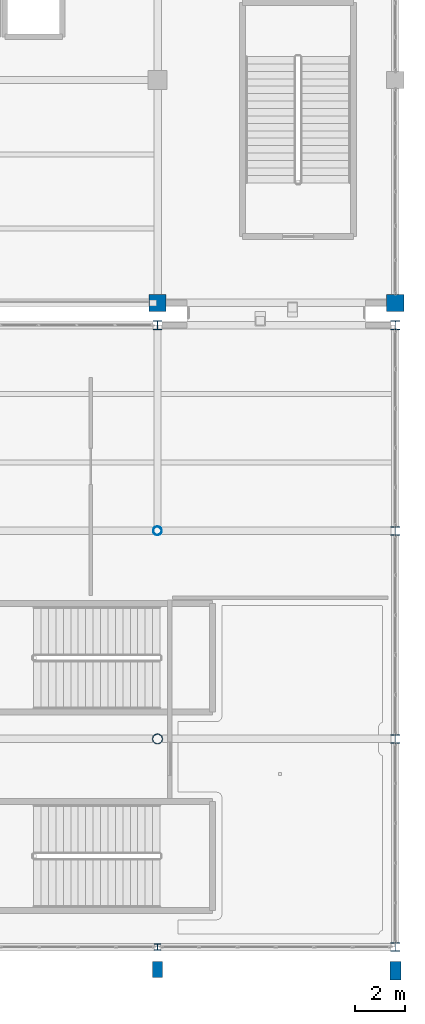
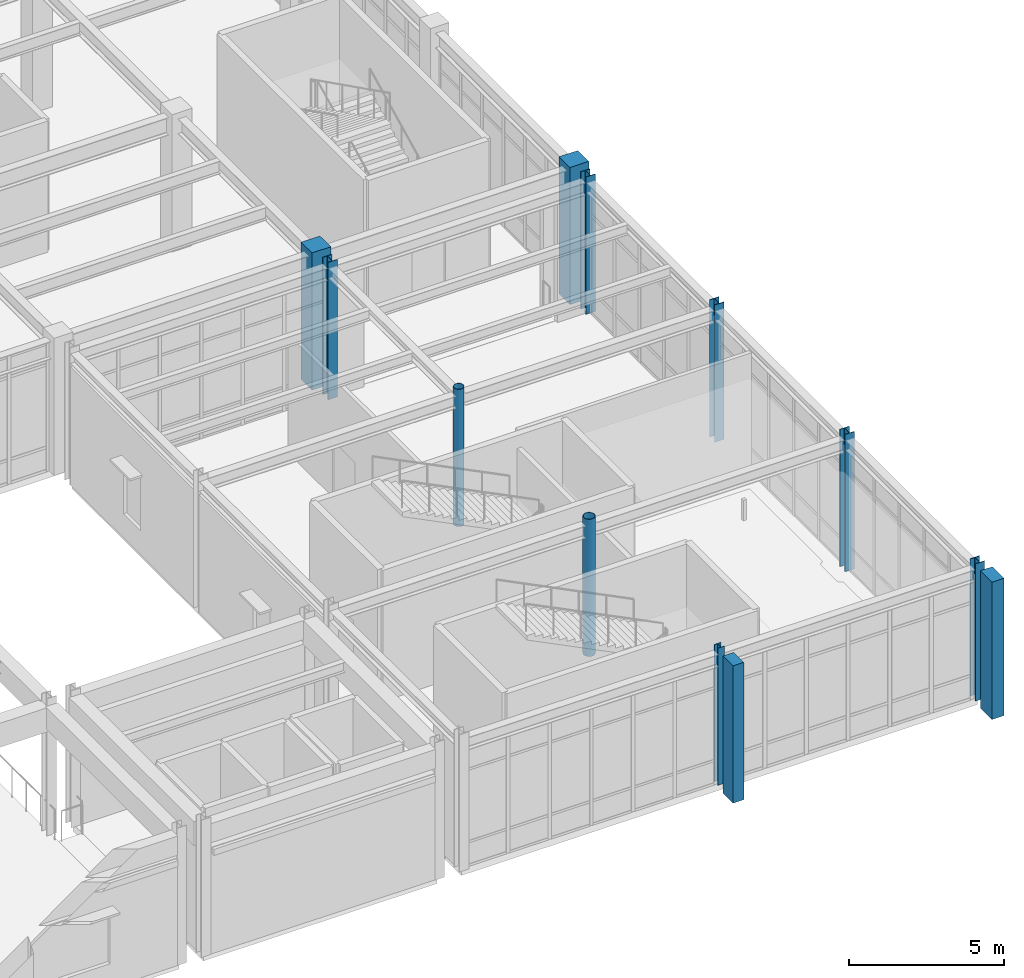
# One storey, part 3 of 80: 12 columns.
"""IFC4 building model written with IfcOpenShell, lengths in metres."""

from ifc_helpers import new_model, si_unit, direction, frame, origin, origin_2d, place, context, subcontext, project, spatial, rectangle, hollow_circle, i_section, extrude, material, material_profile, profile_set, type_object, element, save


model = new_model("IFC4")

# Units and contexts
model_context = context("Model", 3, precision=1e-05, world=origin(), true_north=direction((0.0, 1.0)))
body_context = subcontext(model_context, "Body", "Model", "MODEL_VIEW")
ifc_project = project(units=[si_unit("LENGTHUNIT", "METRE"), si_unit("AREAUNIT", "SQUARE_METRE"), si_unit("VOLUMEUNIT", "CUBIC_METRE"), si_unit("PLANEANGLEUNIT", "RADIAN"), si_unit("MASSUNIT", "GRAM", prefix="KILO")], contexts=[model_context])

# Site, building, storey
site_placement = place(None, origin())
site = spatial("IfcSite", under=ifc_project, at=site_placement, CompositionType="ELEMENT")
building_placement = place(site_placement, origin())
building = spatial("IfcBuilding", under=site, at=building_placement, Name="Canglan Escarpment Cableway Terminal", CompositionType="ELEMENT")
storey_placement = place(building_placement, frame((0.0, 0.0, 19.199951171875)))
storey = spatial("IfcBuildingStorey", under=building, at=storey_placement, Name="L04", CompositionType="ELEMENT", Elevation=19.199951171875)

# Columns
ifc_material_1 = material(Name="Steel Q355B", Category="steel")
ifc_material_profile_1 = material_profile(ifc_material_1, hollow_circle(Radius=0.177734375, WallThickness=0.012451171875, at=origin_2d()), Name="CHS 355.6x12.5")
ifc_profile_set_1 = profile_set([ifc_material_profile_1], Name="Steel Q355B")
column_type_1 = type_object("IfcColumnType", Name="COL-CHS355-Q355B", PredefinedType="COLUMN", material=ifc_profile_set_1)
column_1_placement = place(storey_placement, frame((156.800048828125, 24.800048828125, 0.0), z_axis=(0.0, 0.0, 1.0), x_axis=(1.0, 0.0, 0.0)))
element("IfcColumn", 1, at=column_1_placement, inside=storey, type_object=column_type_1, Name="Structural column C-13", PredefinedType="COLUMN", context=body_context, shape_type="SweptSolid", body=[
    extrude(hollow_circle(Radius=0.177734375, WallThickness=0.012451171875, at=origin_2d()), origin(), (0.0, 0.0, 1.0), 5.400146484375),
])
ifc_material_2 = material(Name="Steel Q355C", Category="steel")
ifc_material_profile_2 = material_profile(ifc_material_2, hollow_circle(Radius=0.203125, WallThickness=0.01611328125, at=origin_2d()), Name="CHS 406.4x16")
ifc_profile_set_2 = profile_set([ifc_material_profile_2], Name="Steel Q355C")
column_type_2 = type_object("IfcColumnType", Name="COL-CHS406-Q355C", PredefinedType="COLUMN", material=ifc_profile_set_2)
column_2_placement = place(storey_placement, frame((156.800048828125, 16.39990234375, 0.0), z_axis=(0.0, 0.0, 1.0), x_axis=(1.0, 0.0, 0.0)))
element("IfcColumn", 2, at=column_2_placement, inside=storey, type_object=column_type_2, Name="Structural column C-12", PredefinedType="COLUMN", context=body_context, shape_type="SweptSolid", body=[
    extrude(hollow_circle(Radius=0.203125, WallThickness=0.01611328125, at=origin_2d()), origin(), (0.0, 0.0, 1.0), 5.400146484375),
])
ifc_material_profile_3 = material_profile(ifc_material_1, i_section(OverallWidth=0.25, OverallDepth=0.25, WebThickness=0.009033203125, FlangeThickness=0.013916015625, FilletRadius=0.01611328125, at=origin_2d()), Name="HW 250x250x9x14")
ifc_profile_set_3 = profile_set([ifc_material_profile_3], Name="Steel Q355B")
column_type_3 = type_object("IfcColumnType", Name="COL-HW250-Q355B", PredefinedType="COLUMN", material=ifc_profile_set_3)
column_3_placement = place(storey_placement, frame((156.800048828125, 8.0, 0.0), z_axis=(0.0, 0.0, 1.0), x_axis=(1.0, 0.0, 0.0)))
element("IfcColumn", 3, at=column_3_placement, inside=storey, type_object=column_type_3, Name="Structural column C-11", PredefinedType="COLUMN", context=body_context, shape_type="SweptSolid", body=[
    extrude(i_section(OverallWidth=0.25, OverallDepth=0.25, WebThickness=0.009033203125, FlangeThickness=0.013916015625, FilletRadius=0.01611328125, at=origin_2d()), origin(), (0.0, 0.0, 1.0), 5.400146484375),
])
ifc_material_profile_4 = material_profile(ifc_material_2, i_section(OverallWidth=0.35009765625, OverallDepth=0.35009765625, WebThickness=0.011962890625, FlangeThickness=0.01904296875, FilletRadius=0.02001953125, at=origin_2d()), Name="HW 350x350x12x19")
ifc_profile_set_4 = profile_set([ifc_material_profile_4], Name="Steel Q355C")
column_type_4 = type_object("IfcColumnType", Name="COL-HW350-Q355C", PredefinedType="COLUMN", material=ifc_profile_set_4)
for number, where, z_axis, x_axis, name in (
    (4, (156.800048828125, 33.10009765625, 0.0), (0.0, 0.0, 1.0), (1.0, 0.0, 0.0), "Structural column C-09"),
    (5, (166.39990234375, 8.0, 0.0), (0.0, 0.0, 1.0), (1.0, 0.0, 0.0), "Structural column C-09"),
    (6, (166.39990234375, 16.39990234375, 0.0), (0.0, 0.0, 1.0), (1.0, 0.0, 0.0), "Structural column C-09"),
    (7, (166.39990234375, 24.800048828125, 0.0), (0.0, 0.0, 1.0), (1.0, 0.0, 0.0), "Structural column C-09"),
    (8, (166.39990234375, 33.10009765625, 0.0), (0.0, 0.0, 1.0), (1.0, 0.0, 0.0), "Structural column C-09"),
):
    element("IfcColumn", number, at=place(storey_placement, frame(where, z_axis=z_axis, x_axis=x_axis)), inside=storey, type_object=column_type_4, Name=name, PredefinedType="COLUMN", context=body_context, shape_type="SweptSolid", body=[
        extrude(i_section(OverallWidth=0.35009765625, OverallDepth=0.35009765625, WebThickness=0.011962890625, FlangeThickness=0.01904296875, FilletRadius=0.02001953125, at=origin_2d()), origin(), (0.0, 0.0, 1.0), 5.400146484375),
    ])
ifc_material_3 = material(Name="Concrete C40", Category="concrete")
ifc_material_profile_5 = material_profile(ifc_material_3, rectangle(XDim=0.699951171875, YDim=0.699951171875, at=origin_2d()), Name="RC 700x700")
ifc_profile_set_5 = profile_set([ifc_material_profile_5], Name="Concrete C40")
column_type_5 = type_object("IfcColumnType", Name="COL-RC700-C40", PredefinedType="COLUMN", material=ifc_profile_set_5)
for number, where, z_axis, x_axis, name in (
    (9, (156.800048828125, 34.0, 0.0), (0.0, 0.0, 1.0), (1.0, 0.0, 0.0), "Structural column C-04"),
    (10, (166.39990234375, 34.0, 0.0), (0.0, 0.0, 1.0), (1.0, 0.0, 0.0), "Structural column C-04"),
):
    element("IfcColumn", number, at=place(storey_placement, frame(where, z_axis=z_axis, x_axis=x_axis)), inside=storey, type_object=column_type_5, Name=name, PredefinedType="COLUMN", context=body_context, shape_type="SweptSolid", body=[
        extrude(rectangle(XDim=0.699951171875, YDim=0.699951171875, at=origin_2d()), origin(), (0.0, 0.0, 1.0), 5.400146484375),
    ])
ifc_material_profile_6 = material_profile(ifc_material_3, rectangle(XDim=0.39990234375, YDim=0.64990234375, at=origin_2d()), Name="RC-PIL 400x650")
ifc_profile_set_6 = profile_set([ifc_material_profile_6], Name="Concrete C40")
column_type_6 = type_object("IfcColumnType", Name="PIL-RC400x650", PredefinedType="PILASTER", material=ifc_profile_set_6)
column_4_placement = place(storey_placement, frame((156.800048828125, 7.094970703125, 0.0), z_axis=(0.0, 0.0, 1.0), x_axis=(1.0, 0.0, 0.0)))
element("IfcColumn", 11, at=column_4_placement, inside=storey, type_object=column_type_6, Name="Neoclassical engaged pilaster PL-02", PredefinedType="PILASTER", context=body_context, shape_type="SweptSolid", body=[
    extrude(rectangle(XDim=0.39990234375, YDim=0.64990234375, at=origin_2d()), origin(), (0.0, 0.0, 1.0), 5.400146484375),
])
ifc_material_profile_7 = material_profile(ifc_material_3, rectangle(XDim=0.449951171875, YDim=0.75, at=origin_2d()), Name="RC-PIL 450x750")
ifc_profile_set_7 = profile_set([ifc_material_profile_7], Name="Concrete C40")
column_type_7 = type_object("IfcColumnType", Name="PIL-RC450x750", PredefinedType="PILASTER", material=ifc_profile_set_7)
column_5_placement = place(storey_placement, frame((166.39990234375, 7.044921875, 0.0), z_axis=(0.0, 0.0, 1.0), x_axis=(1.0, 0.0, 0.0)))
element("IfcColumn", 12, at=column_5_placement, inside=storey, type_object=column_type_7, Name="Neoclassical engaged pilaster PL-01", PredefinedType="PILASTER", context=body_context, shape_type="SweptSolid", body=[
    extrude(rectangle(XDim=0.449951171875, YDim=0.75, at=origin_2d()), origin(), (0.0, 0.0, 1.0), 5.400146484375),
])

save(model, "model.ifc")
